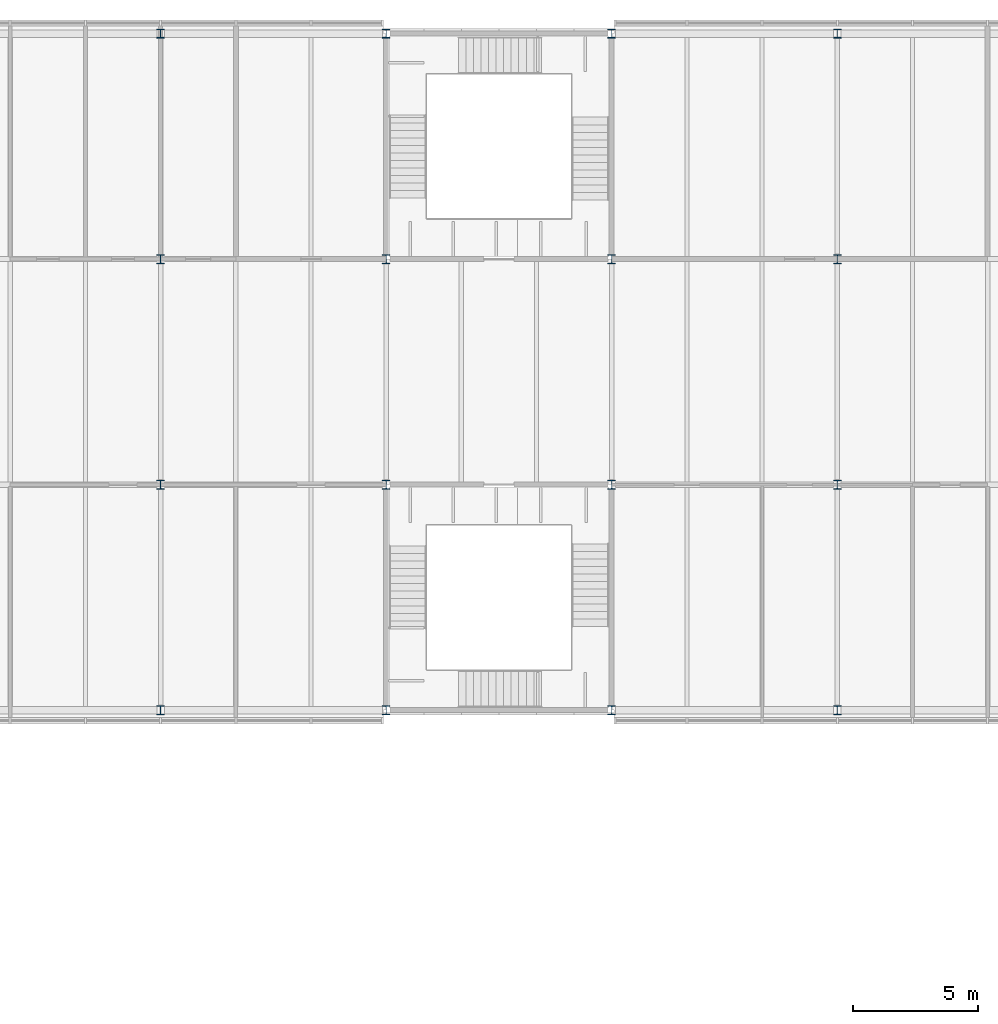
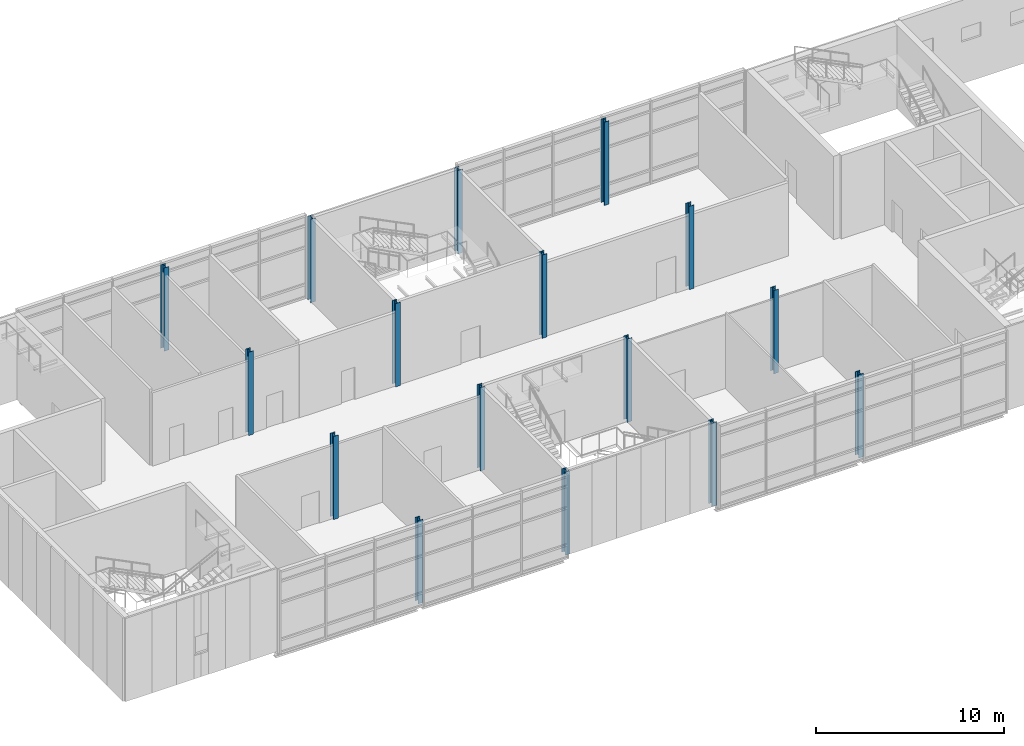
# One storey, part 3 of 53: 16 columns.
"""IFC4 building model written with IfcOpenShell, lengths in metres."""

from ifc_helpers import new_model, si_unit, direction, frame, origin, origin_2d, place, context, subcontext, project, spatial, i_section, extrude, material, material_profile, profile_set, type_object, element, save


model = new_model("IFC4")

# Units and contexts
model_context = context("Model", 3, precision=1e-05, world=origin(), true_north=direction((0.0, 1.0)))
body_context = subcontext(model_context, "Body", "Model", "MODEL_VIEW")
ifc_project = project(units=[si_unit("LENGTHUNIT", "METRE"), si_unit("AREAUNIT", "SQUARE_METRE"), si_unit("VOLUMEUNIT", "CUBIC_METRE"), si_unit("PLANEANGLEUNIT", "RADIAN"), si_unit("MASSUNIT", "GRAM", prefix="KILO")], contexts=[model_context])

# Site, building, storey
site_placement = place(None, origin())
site = spatial("IfcSite", under=ifc_project, at=site_placement, CompositionType="ELEMENT")
building_placement = place(site_placement, origin())
building = spatial("IfcBuilding", under=site, at=building_placement, Name="Azimuth Sports and Learning Centre", CompositionType="ELEMENT")
storey_placement = place(building_placement, frame((0.0, 0.0, 10.800048828125)))
storey = spatial("IfcBuildingStorey", under=building, at=storey_placement, Name="L02", CompositionType="ELEMENT", Elevation=10.800048828125)

# Columns
ifc_material = material(Name="Steel S355", Category="steel")
ifc_material_profile = material_profile(ifc_material, i_section(OverallWidth=0.300048828125, OverallDepth=0.360107421875, WebThickness=0.012451171875, FlangeThickness=0.0224609375, FilletRadius=0.027099609375, at=origin_2d()), Name="HEB 360")
ifc_profile_set = profile_set([ifc_material_profile], Name="Steel S355")
column_type = type_object("IfcColumnType", Name="Column HEB 360", PredefinedType="COLUMN", material=ifc_profile_set)
for number, where, z_axis, x_axis, name in (
    (1, (18.0, 90.0, 0.0), (0.0, 0.0, 1.0), (1.0, 0.0, 0.0), "Column 3L L02"),
    (2, (27.0, 90.0, 0.0), (0.0, 0.0, 1.0), (1.0, 0.0, 0.0), "Column 4L L02"),
    (3, (36.0, 90.0, 0.0), (0.0, 0.0, 1.0), (1.0, 0.0, 0.0), "Column 5L L02"),
    (4, (45.0, 90.0, 0.0), (0.0, 0.0, 1.0), (1.0, 0.0, 0.0), "Column 6L L02"),
    (5, (18.0, 99.0, 0.0), (0.0, 0.0, 1.0), (1.0, 0.0, 0.0), "Column 3M L02"),
    (6, (27.0, 99.0, 0.0), (0.0, 0.0, 1.0), (1.0, 0.0, 0.0), "Column 4M L02"),
    (7, (36.0, 99.0, 0.0), (0.0, 0.0, 1.0), (1.0, 0.0, 0.0), "Column 5M L02"),
    (8, (45.0, 99.0, 0.0), (0.0, 0.0, 1.0), (1.0, 0.0, 0.0), "Column 6M L02"),
    (9, (18.0, 108.0, 0.0), (0.0, 0.0, 1.0), (1.0, 0.0, 0.0), "Column 3N L02"),
    (10, (27.0, 108.0, 0.0), (0.0, 0.0, 1.0), (1.0, 0.0, 0.0), "Column 4N L02"),
    (11, (36.0, 108.0, 0.0), (0.0, 0.0, 1.0), (1.0, 0.0, 0.0), "Column 5N L02"),
    (12, (45.0, 108.0, 0.0), (0.0, 0.0, 1.0), (1.0, 0.0, 0.0), "Column 6N L02"),
    (13, (18.0, 117.0, 0.0), (0.0, 0.0, 1.0), (1.0, 0.0, 0.0), "Column 3P L02"),
    (14, (27.0, 117.0, 0.0), (0.0, 0.0, 1.0), (1.0, 0.0, 0.0), "Column 4P L02"),
    (15, (36.0, 117.0, 0.0), (0.0, 0.0, 1.0), (1.0, 0.0, 0.0), "Column 5P L02"),
    (16, (45.0, 117.0, 0.0), (0.0, 0.0, 1.0), (1.0, 0.0, 0.0), "Column 6P L02"),
):
    element("IfcColumn", number, at=place(storey_placement, frame(where, z_axis=z_axis, x_axis=x_axis)), inside=storey, type_object=column_type, Name=name, PredefinedType="COLUMN", context=body_context, shape_type="SweptSolid", body=[
        extrude(i_section(OverallWidth=0.300048828125, OverallDepth=0.360107421875, WebThickness=0.012451171875, FlangeThickness=0.0224609375, FilletRadius=0.027099609375, at=origin_2d()), origin(), (0.0, 0.0, 1.0), 5.39990234375),
    ])

save(model, "model.ifc")
